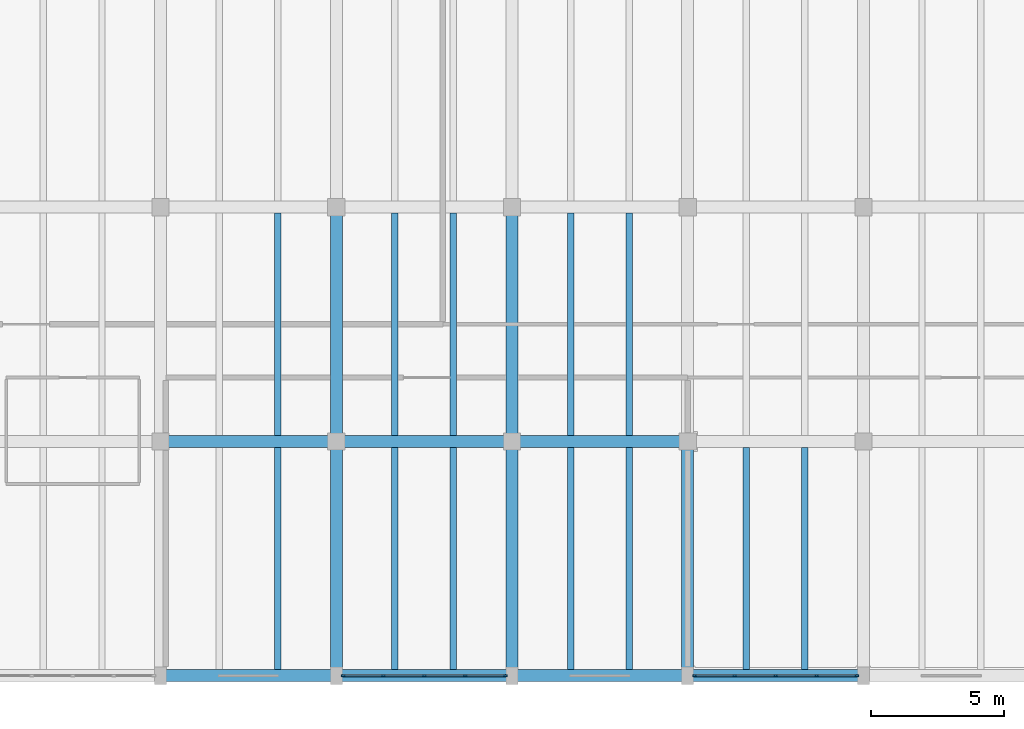
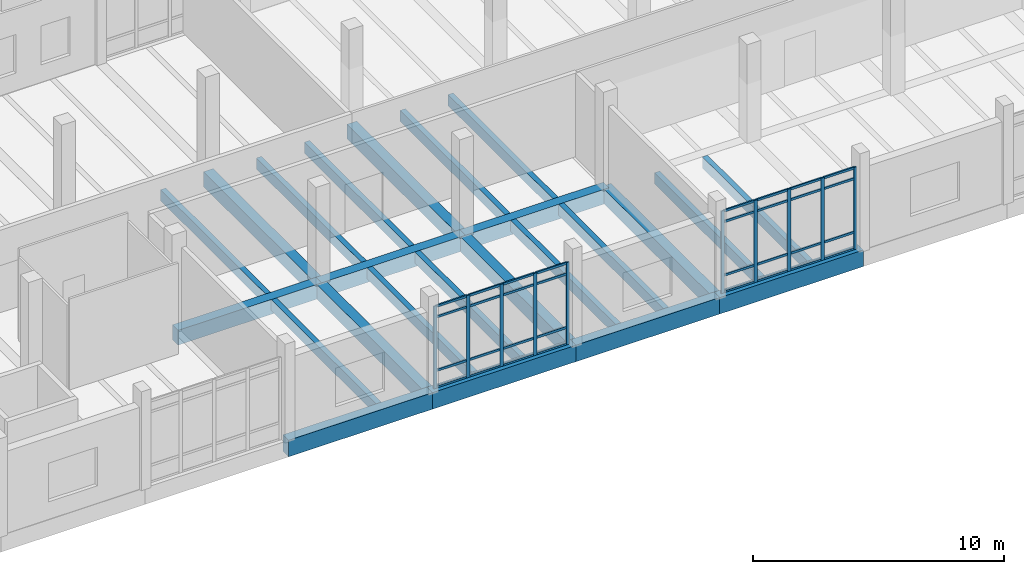
# One storey, part 23 of 76: 42 members, 24 beams, 2 elements without a shape of their own.
"""IFC4 building model written with IfcOpenShell, lengths in metres."""

import ifcopenshell
import ifcopenshell.guid

model = None  # the IFC model being written
_history = None  # IfcOwnerHistory: only IFC2X3 demands one
_inside = {}  # id of a spatial element -> (the spatial element, [elements in it])
_under = {}  # id of a project, library or spatial element -> (it, [spatial elements below it])
_declared = {}  # id of a project -> (the project, [libraries it declares])
_typed = {}  # id of a type object -> (the type object, [elements of that type])
_made_of = {}  # id of a material, layer set ... -> (it, [elements and type objects made of it])


def new_model(schema):
    """Start an empty IFC model of exactly this schema.

    Asked for "IFC4X3", IfcOpenShell would pick the latest addendum, in which some entities
    have other attributes; the version numbers below select the first issue.
    IFC2X3 requires an IfcOwnerHistory on every rooted entity: one is made here for all.
    """
    global model, _history
    if schema == "IFC4X3":
        model = ifcopenshell.file(schema_version=(4, 3, 0, 0))
    else:
        model = ifcopenshell.file(schema=schema)
    _inside.clear()
    _under.clear()
    _declared.clear()
    _typed.clear()
    _made_of.clear()
    _history = None
    if model.schema == "IFC2X3":
        org = make("IfcOrganization", Name="unknown")
        user = make(
            "IfcPersonAndOrganization",
            ThePerson=make("IfcPerson", FamilyName="unknown"),
            TheOrganization=org,
        )
        app = make(
            "IfcApplication",
            ApplicationDeveloper=org,
            Version="unknown",
            ApplicationFullName="unknown",
            ApplicationIdentifier="unknown",
        )
        _history = make(
            "IfcOwnerHistory",
            OwningUser=user,
            OwningApplication=app,
            ChangeAction="ADDED",
            CreationDate=0,
        )
    return model


def make(cls, **values):
    """One entity of the class cls with the attributes given. An attribute that is None is left unset."""
    return model.create_entity(
        cls, **{name: value for name, value in values.items() if value is not None}
    )


def rooted(cls, **values):
    """An entity with a GlobalId (a new one), such as an element, a storey or a relation."""
    return make(cls, GlobalId=ifcopenshell.guid.new(), OwnerHistory=_history, **values)


def si_unit(unit_type, name, prefix=None):
    """IfcSIUnit, for example si_unit("LENGTHUNIT", "METRE", prefix="MILLI")."""
    return make("IfcSIUnit", UnitType=unit_type, Prefix=prefix, Name=name)


def assignment(units):
    """IfcUnitAssignment: the units of a project."""
    return None if units is None else make("IfcUnitAssignment", Units=units)


def point(xyz):
    """IfcCartesianPoint."""
    return None if xyz is None else make("IfcCartesianPoint", Coordinates=xyz)


def direction(xyz):
    """IfcDirection."""
    return None if xyz is None else make("IfcDirection", DirectionRatios=xyz)


def frame(location, z_axis=None, x_axis=None):
    """IfcAxis2Placement3D, a coordinate frame: its origin and axes. An axis left out is left unset."""
    return make(
        "IfcAxis2Placement3D",
        Location=point(location),
        Axis=direction(z_axis),
        RefDirection=direction(x_axis),
    )


def frame_2d(location, x_axis=None):
    """IfcAxis2Placement2D, a coordinate frame in the plane: its origin and x axis."""
    return make(
        "IfcAxis2Placement2D", Location=point(location), RefDirection=direction(x_axis)
    )


def origin():
    """The frame at (0, 0, 0) with its axes left unset."""
    return frame((0.0, 0.0, 0.0))


def origin_2d():
    """The frame at (0, 0) in the plane with its x axis left unset."""
    return frame_2d((0.0, 0.0))


def place(relative_to, where):
    """IfcLocalPlacement: puts the frame where relative to a parent placement (None: the world)."""
    return make(
        "IfcLocalPlacement", PlacementRelTo=relative_to, RelativePlacement=where
    )


def context(
    kind, dimensions, precision=None, world=None, true_north=None, identifier=None
):
    """IfcGeometricRepresentationContext, for example the 3D "Model" context."""
    return make(
        "IfcGeometricRepresentationContext",
        ContextIdentifier=identifier,
        ContextType=kind,
        CoordinateSpaceDimension=dimensions,
        Precision=precision,
        WorldCoordinateSystem=world,
        TrueNorth=true_north,
    )


def subcontext(parent, identifier, kind, view, scale=None):
    """IfcGeometricRepresentationSubContext, for example "Body" below "Model"."""
    return make(
        "IfcGeometricRepresentationSubContext",
        ContextIdentifier=identifier,
        ContextType=kind,
        ParentContext=parent,
        TargetScale=scale,
        TargetView=view,
    )


def project(units=None, contexts=None):
    """IfcProject with its units and contexts."""
    return rooted(
        "IfcProject",
        Name="project",
        RepresentationContexts=contexts,
        UnitsInContext=assignment(units),
    )


def spatial(cls, under=None, at=None, **own):
    """A site, building, storey or space (cls), placed at a placement, below another one or the project."""
    s = rooted(cls, ObjectPlacement=at, **own)
    if under is not None:
        _under.setdefault(under.id(), (under, []))[1].append(s)
    return s


def profile(cls, at=None, kind="AREA", **sizes):
    """A parametric profile (cls). Its sizes go by their IFC names, for example OverallWidth=200.0."""
    return make(cls, ProfileType=kind, Position=at, **sizes)


def rectangle(**sizes):
    """IfcRectangleProfileDef."""
    return profile("IfcRectangleProfileDef", **sizes)


def extrude(swept, where, along, depth):
    """IfcExtrudedAreaSolid: the profile swept, set in the frame where, extruded along a direction by depth."""
    return make(
        "IfcExtrudedAreaSolid",
        SweptArea=swept,
        Position=where,
        ExtrudedDirection=direction(along),
        Depth=depth,
    )


def shape(context_of_items, identifier, shape_type, items):
    """IfcShapeRepresentation: the items that make up one representation, for example the "Body"."""
    return make(
        "IfcShapeRepresentation",
        ContextOfItems=context_of_items,
        RepresentationIdentifier=identifier,
        RepresentationType=shape_type,
        Items=items,
    )


def material(Name=None, Category=None):
    """IfcMaterial."""
    return make("IfcMaterial", Name=Name, Category=Category)


def material_profile(
    of_material, cross_section, Name=None, Category=None, Priority=None
):
    """IfcMaterialProfile: a cross section and its material."""
    return make(
        "IfcMaterialProfile",
        Name=Name,
        Material=of_material,
        Profile=cross_section,
        Priority=Priority,
        Category=Category,
    )


def profile_set(profiles, Name=None, composite=None):
    """IfcMaterialProfileSet."""
    return make(
        "IfcMaterialProfileSet",
        Name=Name,
        MaterialProfiles=profiles,
        CompositeProfile=composite,
    )


def made_of(thing, what):
    """Note that an element or type object is made of a material, layer set ...; save() writes the relation."""
    if what is not None:
        _made_of.setdefault(what.id(), (what, []))[1].append(thing)
    return thing


def type_object(cls, material=None, **own):
    """A type object (cls), such as IfcWallType, which elements share."""
    return made_of(rooted(cls, **own), material)


def element(
    cls,
    number,
    at=None,
    inside=None,
    cuts=None,
    type_object=None,
    material=None,
    context=None,
    identifier="Body",
    shape_type=None,
    held_by="IfcProductDefinitionShape",
    body=None,
    shapes=None,
    **own,
):
    """One element of the class cls, such as IfcWall. Its Tag is "e" and its number.

    at: its placement. inside: the storey or other place that contains it. cuts: it is an
    opening in that element (IfcRelVoidsElement). A single representation is given by context,
    identifier, shape_type and body (its items); several are given by shapes. held_by: the class
    of the entity that holds the representations. save() writes the other relations.
    """
    e = rooted(cls, Tag="e%d" % number, ObjectPlacement=at, **own)
    if body is not None:
        shapes = [shape(context, identifier, shape_type, body)]
    if shapes is not None:
        e.Representation = make(held_by, Representations=shapes)
    if inside is not None:
        _inside.setdefault(inside.id(), (inside, []))[1].append(e)
    if cuts is not None:
        rooted(
            "IfcRelVoidsElement", RelatingBuildingElement=cuts, RelatedOpeningElement=e
        )
    if type_object is not None:
        _typed.setdefault(type_object.id(), (type_object, []))[1].append(e)
    return made_of(e, material)


def aggregate(whole, parts):
    """IfcRelAggregates: a whole, such as a stair, and the parts it consists of."""
    return rooted("IfcRelAggregates", RelatingObject=whole, RelatedObjects=parts)


def save(model, path):
    """Write the relations noted so far, then the file.

    IfcRelAggregates (storeys below a building ...), IfcRelContainedInSpatialStructure (elements
    in a storey), IfcRelDefinesByType, IfcRelAssociatesMaterial and IfcRelDeclares: one each for
    every whole, place, type object, material and project.
    """
    for whole, parts in _under.values():
        aggregate(whole, parts)
    for where, things in _inside.values():
        rooted(
            "IfcRelContainedInSpatialStructure",
            RelatedElements=things,
            RelatingStructure=where,
        )
    for kind, things in _typed.values():
        rooted("IfcRelDefinesByType", RelatedObjects=things, RelatingType=kind)
    for what, things in _made_of.values():
        rooted("IfcRelAssociatesMaterial", RelatedObjects=things, RelatingMaterial=what)
    for by, libraries in _declared.values():
        rooted("IfcRelDeclares", RelatingContext=by, RelatedDefinitions=libraries)
    model.write(path)


model = new_model("IFC4")

# Units and contexts
model_context = context("Model", 3, precision=1e-05, world=origin(), true_north=direction((0.0, 1.0)))
body_context = subcontext(model_context, "Body", "Model", "MODEL_VIEW")
ifc_project = project(units=[si_unit("LENGTHUNIT", "METRE"), si_unit("AREAUNIT", "SQUARE_METRE"), si_unit("VOLUMEUNIT", "CUBIC_METRE"), si_unit("PLANEANGLEUNIT", "RADIAN"), si_unit("MASSUNIT", "GRAM", prefix="KILO")], contexts=[model_context])

# Site, building, storey
site_placement = place(None, origin())
site = spatial("IfcSite", under=ifc_project, at=site_placement, CompositionType="ELEMENT")
building_placement = place(site_placement, origin())
building = spatial("IfcBuilding", under=site, at=building_placement, Name="Dornvale Research Institute", CompositionType="ELEMENT")
storey_placement = place(building_placement, frame((0.0, 0.0, 15.0)))
storey = spatial("IfcBuildingStorey", under=building, at=storey_placement, Name="L03", CompositionType="ELEMENT", Elevation=15.0)

# Beams
ifc_material_1 = material(Name="Concrete f'c 45 MPa (C35/45)", Category="concrete")
ifc_material_profile_1 = material_profile(ifc_material_1, rectangle(XDim=0.449951171875, YDim=0.715087890625, at=origin_2d()), Name="RC 450x715")
ifc_profile_set_1 = profile_set([ifc_material_profile_1], Name="Concrete f'c 45 MPa (C35/45)")
beam_type_1 = type_object("IfcBeamType", Name="Beam_RC450x715_Lab", PredefinedType="BEAM", material=ifc_profile_set_1)
for number, where, z_axis, x_axis, name in (
    (1, (125.39990234375, 8.800048828125, -0.357421875), (1.0, 0.0, 0.0), (0.0, 1.0, 0.0), "L03 primary girder #995"),
    (2, (132.0, 8.800048828125, -0.357421875), (1.0, 0.0, 0.0), (0.0, 1.0, 0.0), "L03 primary girder #996"),
):
    element("IfcBeam", number, at=place(storey_placement, frame(where, z_axis=z_axis, x_axis=x_axis)), inside=storey, type_object=beam_type_1, Name=name, PredefinedType="BEAM", context=body_context, shape_type="SweptSolid", body=[
        extrude(rectangle(XDim=0.449951171875, YDim=0.715087890625, at=origin_2d()), origin(), (0.0, 0.0, 1.0), 6.60009765625),
    ])
beam_1_placement = place(storey_placement, frame((138.60009765625, 8.800048828125, -0.357421875), z_axis=(1.0, 0.0, 0.0), x_axis=(0.0, 1.0, 0.0)))
element("IfcBeam", 3, at=beam_1_placement, inside=storey, type_object=beam_type_1, Name="L03 primary girder #997", PredefinedType="BEAM", context=body_context, shape_type="SweptSolid", body=[
    extrude(rectangle(XDim=0.449951171875, YDim=0.715087890625, at=origin_2d()), origin(), (0.0, 0.0, 1.0), 6.599853515625),
])
for number, where, z_axis, x_axis, name in (
    (4, (132.0, 0.0, -0.357421875), (0.0, 1.0, 0.0), (-1.0, 0.0, 0.0), "L03 transverse girder #1041"),
    (5, (132.0, 8.800048828125, -0.357421875), (0.0, 1.0, 0.0), (-1.0, 0.0, 0.0), "L03 transverse girder #1042"),
    (6, (138.60009765625, 0.0, -0.357421875), (0.0, 1.0, 0.0), (-1.0, 0.0, 0.0), "L03 transverse girder #1044"),
    (7, (138.60009765625, 8.800048828125, -0.357421875), (0.0, 1.0, 0.0), (-1.0, 0.0, 0.0), "L03 transverse girder #1045"),
    (8, (145.199951171875, 0.0, -0.357421875), (0.0, 1.0, 0.0), (-1.0, 0.0, 0.0), "L03 transverse girder #1047"),
):
    element("IfcBeam", number, at=place(storey_placement, frame(where, z_axis=z_axis, x_axis=x_axis)), inside=storey, type_object=beam_type_1, Name=name, PredefinedType="BEAM", context=body_context, shape_type="SweptSolid", body=[
        extrude(rectangle(XDim=0.449951171875, YDim=0.715087890625, at=origin_2d()), origin(), (0.0, 0.0, 1.0), 8.800048828125),
    ])
ifc_material_2 = material(Name="Concrete f'c 45 MPa (C35/45)", Category="concrete")
ifc_material_profile_2 = material_profile(ifc_material_2, rectangle(XDim=0.239990234375, YDim=0.534912109375, at=origin_2d()), Name="RC 240x535")
ifc_profile_set_2 = profile_set([ifc_material_profile_2], Name="Concrete f'c 45 MPa (C35/45)")
beam_type_2 = type_object("IfcBeamType", Name="Joist_RC240x535_Waffle", PredefinedType="JOIST", material=ifc_profile_set_2)
beam_2_placement = place(storey_placement, frame((129.800048828125, 0.22509765625, -0.267578125), z_axis=(0.0, 1.0, 0.0), x_axis=(-1.0, 0.0, 0.0)))
element("IfcBeam", 9, at=beam_2_placement, inside=storey, type_object=beam_type_2, Name="L03 laboratory waffle joist #510", PredefinedType="JOIST", context=body_context, shape_type="SweptSolid", body=[
    extrude(rectangle(XDim=0.239990234375, YDim=0.534912109375, at=origin_2d()), origin(), (0.0, 0.0, 1.0), 8.349853515625),
])
beam_3_placement = place(storey_placement, frame((129.800048828125, 9.02490234375, -0.267578125), z_axis=(0.0, 1.0, 0.0), x_axis=(-1.0, 0.0, 0.0)))
element("IfcBeam", 10, at=beam_3_placement, inside=storey, type_object=beam_type_2, Name="L03 laboratory waffle joist #512", PredefinedType="JOIST", context=body_context, shape_type="SweptSolid", body=[
    extrude(rectangle(XDim=0.239990234375, YDim=0.534912109375, at=origin_2d()), origin(), (0.0, 0.0, 1.0), 8.35009765625),
])
for number, where, z_axis, x_axis, name in (
    (11, (134.199951171875, 0.22509765625, -0.267578125), (0.0, 1.0, 0.0), (-1.0, 0.0, 0.0), "L03 laboratory waffle joist #515"),
    (12, (136.39990234375, 0.22509765625, -0.267578125), (0.0, 1.0, 0.0), (-1.0, 0.0, 0.0), "L03 laboratory waffle joist #516"),
):
    element("IfcBeam", number, at=place(storey_placement, frame(where, z_axis=z_axis, x_axis=x_axis)), inside=storey, type_object=beam_type_2, Name=name, PredefinedType="JOIST", context=body_context, shape_type="SweptSolid", body=[
        extrude(rectangle(XDim=0.239990234375, YDim=0.534912109375, at=origin_2d()), origin(), (0.0, 0.0, 1.0), 8.349853515625),
    ])
for number, where, z_axis, x_axis, name in (
    (13, (134.199951171875, 9.02490234375, -0.267578125), (0.0, 1.0, 0.0), (-1.0, 0.0, 0.0), "L03 laboratory waffle joist #517"),
    (14, (136.39990234375, 9.02490234375, -0.267578125), (0.0, 1.0, 0.0), (-1.0, 0.0, 0.0), "L03 laboratory waffle joist #518"),
):
    element("IfcBeam", number, at=place(storey_placement, frame(where, z_axis=z_axis, x_axis=x_axis)), inside=storey, type_object=beam_type_2, Name=name, PredefinedType="JOIST", context=body_context, shape_type="SweptSolid", body=[
        extrude(rectangle(XDim=0.239990234375, YDim=0.534912109375, at=origin_2d()), origin(), (0.0, 0.0, 1.0), 8.35009765625),
    ])
for number, where, z_axis, x_axis, name in (
    (15, (140.800048828125, 0.22509765625, -0.267578125), (0.0, 1.0, 0.0), (-1.0, 0.0, 0.0), "L03 laboratory waffle joist #521"),
    (16, (143.0, 0.22509765625, -0.267578125), (0.0, 1.0, 0.0), (-1.0, 0.0, 0.0), "L03 laboratory waffle joist #522"),
):
    element("IfcBeam", number, at=place(storey_placement, frame(where, z_axis=z_axis, x_axis=x_axis)), inside=storey, type_object=beam_type_2, Name=name, PredefinedType="JOIST", context=body_context, shape_type="SweptSolid", body=[
        extrude(rectangle(XDim=0.239990234375, YDim=0.534912109375, at=origin_2d()), origin(), (0.0, 0.0, 1.0), 8.349853515625),
    ])
for number, where, z_axis, x_axis, name in (
    (17, (140.800048828125, 9.02490234375, -0.267578125), (0.0, 1.0, 0.0), (-1.0, 0.0, 0.0), "L03 laboratory waffle joist #523"),
    (18, (143.0, 9.02490234375, -0.267578125), (0.0, 1.0, 0.0), (-1.0, 0.0, 0.0), "L03 laboratory waffle joist #524"),
):
    element("IfcBeam", number, at=place(storey_placement, frame(where, z_axis=z_axis, x_axis=x_axis)), inside=storey, type_object=beam_type_2, Name=name, PredefinedType="JOIST", context=body_context, shape_type="SweptSolid", body=[
        extrude(rectangle(XDim=0.239990234375, YDim=0.534912109375, at=origin_2d()), origin(), (0.0, 0.0, 1.0), 8.35009765625),
    ])
for number, where, z_axis, x_axis, name in (
    (19, (147.39990234375, 0.22509765625, -0.267578125), (0.0, 1.0, 0.0), (-1.0, 0.0, 0.0), "L03 laboratory waffle joist #527"),
    (20, (149.60009765625, 0.22509765625, -0.267578125), (0.0, 1.0, 0.0), (-1.0, 0.0, 0.0), "L03 laboratory waffle joist #528"),
):
    element("IfcBeam", number, at=place(storey_placement, frame(where, z_axis=z_axis, x_axis=x_axis)), inside=storey, type_object=beam_type_2, Name=name, PredefinedType="JOIST", context=body_context, shape_type="SweptSolid", body=[
        extrude(rectangle(XDim=0.239990234375, YDim=0.534912109375, at=origin_2d()), origin(), (0.0, 0.0, 1.0), 8.349853515625),
    ])

# Curtain wall, members
ifc_material_3 = material(Name="Low-E Argon Double Insulating Glazing Unit", Category="glass")
curtain_wall_type = type_object("IfcCurtainWallType", Name="UnitisedCurtainWall_V3_6150x4000", PredefinedType="USERDEFINED", material=ifc_material_3)
curtain_wall_1_placement = place(storey_placement, origin())
curtain_wall_1 = element("IfcCurtainWall", 21, at=curtain_wall_1_placement, inside=storey, type_object=curtain_wall_type, Name="L03 V3 unitised curtain wall CW-06 #62", ObjectType="UNITISED CURTAIN WALL", PredefinedType="USERDEFINED")
ifc_material_4 = material(Name="Anodized Aluminum AA 6063-T6 Thermally Broken Frame", Category="aluminium")
ifc_material_profile_3 = material_profile(ifc_material_4, rectangle(XDim=0.06494140625, YDim=0.14990234375, at=origin_2d()), Name="ALU MULLION 65x150")
ifc_profile_set_3 = profile_set([ifc_material_profile_3], Name="Anodized Aluminum AA 6063-T6 Thermally Broken Frame")
member_type_1 = type_object("IfcMemberType", Name="Mullion_CW_65x150", PredefinedType="MULLION", material=ifc_profile_set_3)
member_1_placement = place(storey_placement, frame((151.54248046875, 0.0, 0.0), z_axis=(0.0, 0.0, 1.0), x_axis=(0.0, -1.0, 0.0)))
member_1 = element("IfcMember", 22, at=member_1_placement, type_object=member_type_1, Name="CW-06 mullion 1", PredefinedType="MULLION", context=body_context, shape_type="SweptSolid", body=[
    extrude(rectangle(XDim=0.06494140625, YDim=0.14990234375, at=origin_2d()), origin(), (0.0, 0.0, 1.0), 4.0),
])
member_2_placement = place(storey_placement, frame((150.03759765625, 0.0, 0.0), z_axis=(0.0, 0.0, 1.0), x_axis=(0.0, -1.0, 0.0)))
member_2 = element("IfcMember", 23, at=member_2_placement, type_object=member_type_1, Name="CW-06 mullion 2", PredefinedType="MULLION", context=body_context, shape_type="SweptSolid", body=[
    extrude(rectangle(XDim=0.06494140625, YDim=0.14990234375, at=origin_2d()), origin(), (0.0, 0.0, 1.0), 4.0),
])
member_3_placement = place(storey_placement, frame((148.5, 0.0, 0.0), z_axis=(0.0, 0.0, 1.0), x_axis=(0.0, -1.0, 0.0)))
member_3 = element("IfcMember", 24, at=member_3_placement, type_object=member_type_1, Name="CW-06 mullion 3", PredefinedType="MULLION", context=body_context, shape_type="SweptSolid", body=[
    extrude(rectangle(XDim=0.06494140625, YDim=0.14990234375, at=origin_2d()), origin(), (0.0, 0.0, 1.0), 4.0),
])
member_4_placement = place(storey_placement, frame((146.96240234375, 0.0, 0.0), z_axis=(0.0, 0.0, 1.0), x_axis=(0.0, -1.0, 0.0)))
member_4 = element("IfcMember", 25, at=member_4_placement, type_object=member_type_1, Name="CW-06 mullion 4", PredefinedType="MULLION", context=body_context, shape_type="SweptSolid", body=[
    extrude(rectangle(XDim=0.06494140625, YDim=0.14990234375, at=origin_2d()), origin(), (0.0, 0.0, 1.0), 4.0),
])
member_5_placement = place(storey_placement, frame((145.45751953125, 0.0, 0.0), z_axis=(0.0, 0.0, 1.0), x_axis=(0.0, -1.0, 0.0)))
member_5 = element("IfcMember", 26, at=member_5_placement, type_object=member_type_1, Name="CW-06 mullion 5", PredefinedType="MULLION", context=body_context, shape_type="SweptSolid", body=[
    extrude(rectangle(XDim=0.06494140625, YDim=0.14990234375, at=origin_2d()), origin(), (0.0, 0.0, 1.0), 4.0),
])

curtain_wall_2_placement = place(storey_placement, origin())
curtain_wall_2 = element("IfcCurtainWall", 27, at=curtain_wall_2_placement, inside=storey, type_object=curtain_wall_type, Name="L03 V3 unitised curtain wall CW-06 #63", ObjectType="UNITISED CURTAIN WALL", PredefinedType="USERDEFINED")
member_6_placement = place(storey_placement, frame((138.342529296875, 0.0, 0.0), z_axis=(0.0, 0.0, 1.0), x_axis=(0.0, -1.0, 0.0)))
member_6 = element("IfcMember", 28, at=member_6_placement, type_object=member_type_1, Name="CW-06 mullion 1", PredefinedType="MULLION", context=body_context, shape_type="SweptSolid", body=[
    extrude(rectangle(XDim=0.06494140625, YDim=0.14990234375, at=origin_2d()), origin(), (0.0, 0.0, 1.0), 4.0),
])
member_7_placement = place(storey_placement, frame((136.83740234375, 0.0, 0.0), z_axis=(0.0, 0.0, 1.0), x_axis=(0.0, -1.0, 0.0)))
member_7 = element("IfcMember", 29, at=member_7_placement, type_object=member_type_1, Name="CW-06 mullion 2", PredefinedType="MULLION", context=body_context, shape_type="SweptSolid", body=[
    extrude(rectangle(XDim=0.06494140625, YDim=0.14990234375, at=origin_2d()), origin(), (0.0, 0.0, 1.0), 4.0),
])
member_8_placement = place(storey_placement, frame((135.300048828125, 0.0, 0.0), z_axis=(0.0, 0.0, 1.0), x_axis=(0.0, -1.0, 0.0)))
member_8 = element("IfcMember", 30, at=member_8_placement, type_object=member_type_1, Name="CW-06 mullion 3", PredefinedType="MULLION", context=body_context, shape_type="SweptSolid", body=[
    extrude(rectangle(XDim=0.06494140625, YDim=0.14990234375, at=origin_2d()), origin(), (0.0, 0.0, 1.0), 4.0),
])
member_9_placement = place(storey_placement, frame((133.762451171875, 0.0, 0.0), z_axis=(0.0, 0.0, 1.0), x_axis=(0.0, -1.0, 0.0)))
member_9 = element("IfcMember", 31, at=member_9_placement, type_object=member_type_1, Name="CW-06 mullion 4", PredefinedType="MULLION", context=body_context, shape_type="SweptSolid", body=[
    extrude(rectangle(XDim=0.06494140625, YDim=0.14990234375, at=origin_2d()), origin(), (0.0, 0.0, 1.0), 4.0),
])
member_10_placement = place(storey_placement, frame((132.257568359375, 0.0, 0.0), z_axis=(0.0, 0.0, 1.0), x_axis=(0.0, -1.0, 0.0)))
member_10 = element("IfcMember", 32, at=member_10_placement, type_object=member_type_1, Name="CW-06 mullion 5", PredefinedType="MULLION", context=body_context, shape_type="SweptSolid", body=[
    extrude(rectangle(XDim=0.06494140625, YDim=0.14990234375, at=origin_2d()), origin(), (0.0, 0.0, 1.0), 4.0),
])

# Beams
ifc_material_5 = material(Name="Concrete f'c 45 MPa (C35/45)", Category="concrete")
ifc_material_profile_4 = material_profile(ifc_material_5, rectangle(XDim=0.449951171875, YDim=0.800048828125, at=origin_2d()), Name="RC 450x800")
ifc_profile_set_4 = profile_set([ifc_material_profile_4], Name="Concrete f'c 45 MPa (C35/45)")
beam_type_3 = type_object("IfcBeamType", Name="Spandrel_RC450x800_Ext", PredefinedType="SPANDREL", material=ifc_profile_set_4)
for number, where, z_axis, x_axis, name in (
    (33, (125.39990234375, 0.0, -0.39990234375), (1.0, 0.0, 0.0), (0.0, 1.0, 0.0), "L03 perimeter spandrel #983"),
    (34, (132.0, 0.0, -0.39990234375), (1.0, 0.0, 0.0), (0.0, 1.0, 0.0), "L03 perimeter spandrel #984"),
):
    element("IfcBeam", number, at=place(storey_placement, frame(where, z_axis=z_axis, x_axis=x_axis)), inside=storey, type_object=beam_type_3, Name=name, PredefinedType="SPANDREL", context=body_context, shape_type="SweptSolid", body=[
        extrude(rectangle(XDim=0.449951171875, YDim=0.800048828125, at=origin_2d()), origin(), (0.0, 0.0, 1.0), 6.60009765625),
    ])
beam_4_placement = place(storey_placement, frame((138.60009765625, 0.0, -0.39990234375), z_axis=(1.0, 0.0, 0.0), x_axis=(0.0, 1.0, 0.0)))
element("IfcBeam", 35, at=beam_4_placement, inside=storey, type_object=beam_type_3, Name="L03 perimeter spandrel #985", PredefinedType="SPANDREL", context=body_context, shape_type="SweptSolid", body=[
    extrude(rectangle(XDim=0.449951171875, YDim=0.800048828125, at=origin_2d()), origin(), (0.0, 0.0, 1.0), 6.599853515625),
])
beam_5_placement = place(storey_placement, frame((145.199951171875, 0.0, -0.39990234375), z_axis=(1.0, 0.0, 0.0), x_axis=(0.0, 1.0, 0.0)))
element("IfcBeam", 36, at=beam_5_placement, inside=storey, type_object=beam_type_3, Name="L03 perimeter spandrel #986", PredefinedType="SPANDREL", context=body_context, shape_type="SweptSolid", body=[
    extrude(rectangle(XDim=0.449951171875, YDim=0.800048828125, at=origin_2d()), origin(), (0.0, 0.0, 1.0), 6.60009765625),
])

# Member
ifc_material_6 = material(Name="Anodized Aluminum AA 6063-T6 Thermally Broken Frame", Category="aluminium")
ifc_material_profile_5 = material_profile(ifc_material_6, rectangle(XDim=0.06494140625, YDim=0.110107421875, at=origin_2d()), Name="ALU TRANSOM 65x110")
ifc_profile_set_5 = profile_set([ifc_material_profile_5], Name="Anodized Aluminum AA 6063-T6 Thermally Broken Frame")
member_type_2 = type_object("IfcMemberType", Name="Transom_CW_65x110", PredefinedType="USERDEFINED", material=ifc_profile_set_5)
member_11_placement = place(storey_placement, frame((151.510009765625, 0.0, 0.032470703125), z_axis=(-1.0, 0.0, 0.0), x_axis=(0.0, -1.0, 0.0)))
member_11 = element("IfcMember", 37, at=member_11_placement, type_object=member_type_2, Name="CW-06 transom 1.1", ObjectType="TRANSOM", PredefinedType="USERDEFINED", context=body_context, shape_type="SweptSolid", body=[
    extrude(rectangle(XDim=0.06494140625, YDim=0.110107421875, at=origin_2d()), origin(), (0.0, 0.0, 1.0), 1.43994140625),
])

member_12_placement = place(storey_placement, frame((151.510009765625, 0.0, 0.85009765625), z_axis=(-1.0, 0.0, 0.0), x_axis=(0.0, -1.0, 0.0)))
member_12 = element("IfcMember", 38, at=member_12_placement, type_object=member_type_2, Name="CW-06 transom 1.2", ObjectType="TRANSOM", PredefinedType="USERDEFINED", context=body_context, shape_type="SweptSolid", body=[
    extrude(rectangle(XDim=0.06494140625, YDim=0.110107421875, at=origin_2d()), origin(), (0.0, 0.0, 1.0), 1.43994140625),
])

member_13_placement = place(storey_placement, frame((151.510009765625, 0.0, 3.449951171875), z_axis=(-1.0, 0.0, 0.0), x_axis=(0.0, -1.0, 0.0)))
member_13 = element("IfcMember", 39, at=member_13_placement, type_object=member_type_2, Name="CW-06 transom 1.3", ObjectType="TRANSOM", PredefinedType="USERDEFINED", context=body_context, shape_type="SweptSolid", body=[
    extrude(rectangle(XDim=0.06494140625, YDim=0.110107421875, at=origin_2d()), origin(), (0.0, 0.0, 1.0), 1.43994140625),
])

member_14_placement = place(storey_placement, frame((151.510009765625, 0.0, 3.967529296875), z_axis=(-1.0, 0.0, 0.0), x_axis=(0.0, -1.0, 0.0)))
member_14 = element("IfcMember", 40, at=member_14_placement, type_object=member_type_2, Name="CW-06 transom 1.4", ObjectType="TRANSOM", PredefinedType="USERDEFINED", context=body_context, shape_type="SweptSolid", body=[
    extrude(rectangle(XDim=0.06494140625, YDim=0.110107421875, at=origin_2d()), origin(), (0.0, 0.0, 1.0), 1.43994140625),
])

member_15_placement = place(storey_placement, frame((150.0048828125, 0.0, 0.032470703125), z_axis=(-1.0, 0.0, 0.0), x_axis=(0.0, -1.0, 0.0)))
member_15 = element("IfcMember", 41, at=member_15_placement, type_object=member_type_2, Name="CW-06 transom 2.1", ObjectType="TRANSOM", PredefinedType="USERDEFINED", context=body_context, shape_type="SweptSolid", body=[
    extrude(rectangle(XDim=0.06494140625, YDim=0.110107421875, at=origin_2d()), origin(), (0.0, 0.0, 1.0), 1.472412109375),
])

member_16_placement = place(storey_placement, frame((150.0048828125, 0.0, 0.85009765625), z_axis=(-1.0, 0.0, 0.0), x_axis=(0.0, -1.0, 0.0)))
member_16 = element("IfcMember", 42, at=member_16_placement, type_object=member_type_2, Name="CW-06 transom 2.2", ObjectType="TRANSOM", PredefinedType="USERDEFINED", context=body_context, shape_type="SweptSolid", body=[
    extrude(rectangle(XDim=0.06494140625, YDim=0.110107421875, at=origin_2d()), origin(), (0.0, 0.0, 1.0), 1.472412109375),
])

member_17_placement = place(storey_placement, frame((150.0048828125, 0.0, 3.449951171875), z_axis=(-1.0, 0.0, 0.0), x_axis=(0.0, -1.0, 0.0)))
member_17 = element("IfcMember", 43, at=member_17_placement, type_object=member_type_2, Name="CW-06 transom 2.3", ObjectType="TRANSOM", PredefinedType="USERDEFINED", context=body_context, shape_type="SweptSolid", body=[
    extrude(rectangle(XDim=0.06494140625, YDim=0.110107421875, at=origin_2d()), origin(), (0.0, 0.0, 1.0), 1.472412109375),
])

member_18_placement = place(storey_placement, frame((150.0048828125, 0.0, 3.967529296875), z_axis=(-1.0, 0.0, 0.0), x_axis=(0.0, -1.0, 0.0)))
member_18 = element("IfcMember", 44, at=member_18_placement, type_object=member_type_2, Name="CW-06 transom 2.4", ObjectType="TRANSOM", PredefinedType="USERDEFINED", context=body_context, shape_type="SweptSolid", body=[
    extrude(rectangle(XDim=0.06494140625, YDim=0.110107421875, at=origin_2d()), origin(), (0.0, 0.0, 1.0), 1.472412109375),
])

member_19_placement = place(storey_placement, frame((148.467529296875, 0.0, 0.032470703125), z_axis=(-1.0, 0.0, 0.0), x_axis=(0.0, -1.0, 0.0)))
member_19 = element("IfcMember", 45, at=member_19_placement, type_object=member_type_2, Name="CW-06 transom 3.1", ObjectType="TRANSOM", PredefinedType="USERDEFINED", context=body_context, shape_type="SweptSolid", body=[
    extrude(rectangle(XDim=0.06494140625, YDim=0.110107421875, at=origin_2d()), origin(), (0.0, 0.0, 1.0), 1.472412109375),
])

member_20_placement = place(storey_placement, frame((148.467529296875, 0.0, 0.85009765625), z_axis=(-1.0, 0.0, 0.0), x_axis=(0.0, -1.0, 0.0)))
member_20 = element("IfcMember", 46, at=member_20_placement, type_object=member_type_2, Name="CW-06 transom 3.2", ObjectType="TRANSOM", PredefinedType="USERDEFINED", context=body_context, shape_type="SweptSolid", body=[
    extrude(rectangle(XDim=0.06494140625, YDim=0.110107421875, at=origin_2d()), origin(), (0.0, 0.0, 1.0), 1.472412109375),
])

member_21_placement = place(storey_placement, frame((148.467529296875, 0.0, 3.449951171875), z_axis=(-1.0, 0.0, 0.0), x_axis=(0.0, -1.0, 0.0)))
member_21 = element("IfcMember", 47, at=member_21_placement, type_object=member_type_2, Name="CW-06 transom 3.3", ObjectType="TRANSOM", PredefinedType="USERDEFINED", context=body_context, shape_type="SweptSolid", body=[
    extrude(rectangle(XDim=0.06494140625, YDim=0.110107421875, at=origin_2d()), origin(), (0.0, 0.0, 1.0), 1.472412109375),
])

member_22_placement = place(storey_placement, frame((148.467529296875, 0.0, 3.967529296875), z_axis=(-1.0, 0.0, 0.0), x_axis=(0.0, -1.0, 0.0)))
member_22 = element("IfcMember", 48, at=member_22_placement, type_object=member_type_2, Name="CW-06 transom 3.4", ObjectType="TRANSOM", PredefinedType="USERDEFINED", context=body_context, shape_type="SweptSolid", body=[
    extrude(rectangle(XDim=0.06494140625, YDim=0.110107421875, at=origin_2d()), origin(), (0.0, 0.0, 1.0), 1.472412109375),
])

member_23_placement = place(storey_placement, frame((146.929931640625, 0.0, 0.032470703125), z_axis=(-1.0, 0.0, 0.0), x_axis=(0.0, -1.0, 0.0)))
member_23 = element("IfcMember", 49, at=member_23_placement, type_object=member_type_2, Name="CW-06 transom 4.1", ObjectType="TRANSOM", PredefinedType="USERDEFINED", context=body_context, shape_type="SweptSolid", body=[
    extrude(rectangle(XDim=0.06494140625, YDim=0.110107421875, at=origin_2d()), origin(), (0.0, 0.0, 1.0), 1.43994140625),
])

member_24_placement = place(storey_placement, frame((146.929931640625, 0.0, 0.85009765625), z_axis=(-1.0, 0.0, 0.0), x_axis=(0.0, -1.0, 0.0)))
member_24 = element("IfcMember", 50, at=member_24_placement, type_object=member_type_2, Name="CW-06 transom 4.2", ObjectType="TRANSOM", PredefinedType="USERDEFINED", context=body_context, shape_type="SweptSolid", body=[
    extrude(rectangle(XDim=0.06494140625, YDim=0.110107421875, at=origin_2d()), origin(), (0.0, 0.0, 1.0), 1.43994140625),
])

member_25_placement = place(storey_placement, frame((146.929931640625, 0.0, 3.449951171875), z_axis=(-1.0, 0.0, 0.0), x_axis=(0.0, -1.0, 0.0)))
member_25 = element("IfcMember", 51, at=member_25_placement, type_object=member_type_2, Name="CW-06 transom 4.3", ObjectType="TRANSOM", PredefinedType="USERDEFINED", context=body_context, shape_type="SweptSolid", body=[
    extrude(rectangle(XDim=0.06494140625, YDim=0.110107421875, at=origin_2d()), origin(), (0.0, 0.0, 1.0), 1.43994140625),
])

member_26_placement = place(storey_placement, frame((146.929931640625, 0.0, 3.967529296875), z_axis=(-1.0, 0.0, 0.0), x_axis=(0.0, -1.0, 0.0)))
member_26 = element("IfcMember", 52, at=member_26_placement, type_object=member_type_2, Name="CW-06 transom 4.4", ObjectType="TRANSOM", PredefinedType="USERDEFINED", context=body_context, shape_type="SweptSolid", body=[
    extrude(rectangle(XDim=0.06494140625, YDim=0.110107421875, at=origin_2d()), origin(), (0.0, 0.0, 1.0), 1.43994140625),
])

aggregate(curtain_wall_1, [member_1, member_2, member_3, member_4, member_5, member_11, member_12, member_13, member_14, member_15, member_16, member_17, member_18, member_19, member_20, member_21, member_22, member_23, member_24, member_25, member_26])

member_27_placement = place(storey_placement, frame((138.31005859375, 0.0, 0.032470703125), z_axis=(-1.0, 0.0, 0.0), x_axis=(0.0, -1.0, 0.0)))
member_27 = element("IfcMember", 53, at=member_27_placement, type_object=member_type_2, Name="CW-06 transom 1.1", ObjectType="TRANSOM", PredefinedType="USERDEFINED", context=body_context, shape_type="SweptSolid", body=[
    extrude(rectangle(XDim=0.06494140625, YDim=0.110107421875, at=origin_2d()), origin(), (0.0, 0.0, 1.0), 1.43994140625),
])

member_28_placement = place(storey_placement, frame((138.31005859375, 0.0, 0.85009765625), z_axis=(-1.0, 0.0, 0.0), x_axis=(0.0, -1.0, 0.0)))
member_28 = element("IfcMember", 54, at=member_28_placement, type_object=member_type_2, Name="CW-06 transom 1.2", ObjectType="TRANSOM", PredefinedType="USERDEFINED", context=body_context, shape_type="SweptSolid", body=[
    extrude(rectangle(XDim=0.06494140625, YDim=0.110107421875, at=origin_2d()), origin(), (0.0, 0.0, 1.0), 1.43994140625),
])

member_29_placement = place(storey_placement, frame((138.31005859375, 0.0, 3.449951171875), z_axis=(-1.0, 0.0, 0.0), x_axis=(0.0, -1.0, 0.0)))
member_29 = element("IfcMember", 55, at=member_29_placement, type_object=member_type_2, Name="CW-06 transom 1.3", ObjectType="TRANSOM", PredefinedType="USERDEFINED", context=body_context, shape_type="SweptSolid", body=[
    extrude(rectangle(XDim=0.06494140625, YDim=0.110107421875, at=origin_2d()), origin(), (0.0, 0.0, 1.0), 1.43994140625),
])

member_30_placement = place(storey_placement, frame((138.31005859375, 0.0, 3.967529296875), z_axis=(-1.0, 0.0, 0.0), x_axis=(0.0, -1.0, 0.0)))
member_30 = element("IfcMember", 56, at=member_30_placement, type_object=member_type_2, Name="CW-06 transom 1.4", ObjectType="TRANSOM", PredefinedType="USERDEFINED", context=body_context, shape_type="SweptSolid", body=[
    extrude(rectangle(XDim=0.06494140625, YDim=0.110107421875, at=origin_2d()), origin(), (0.0, 0.0, 1.0), 1.43994140625),
])

member_31_placement = place(storey_placement, frame((136.804931640625, 0.0, 0.032470703125), z_axis=(-1.0, 0.0, 0.0), x_axis=(0.0, -1.0, 0.0)))
member_31 = element("IfcMember", 57, at=member_31_placement, type_object=member_type_2, Name="CW-06 transom 2.1", ObjectType="TRANSOM", PredefinedType="USERDEFINED", context=body_context, shape_type="SweptSolid", body=[
    extrude(rectangle(XDim=0.06494140625, YDim=0.110107421875, at=origin_2d()), origin(), (0.0, 0.0, 1.0), 1.472412109375),
])

member_32_placement = place(storey_placement, frame((136.804931640625, 0.0, 0.85009765625), z_axis=(-1.0, 0.0, 0.0), x_axis=(0.0, -1.0, 0.0)))
member_32 = element("IfcMember", 58, at=member_32_placement, type_object=member_type_2, Name="CW-06 transom 2.2", ObjectType="TRANSOM", PredefinedType="USERDEFINED", context=body_context, shape_type="SweptSolid", body=[
    extrude(rectangle(XDim=0.06494140625, YDim=0.110107421875, at=origin_2d()), origin(), (0.0, 0.0, 1.0), 1.472412109375),
])

member_33_placement = place(storey_placement, frame((136.804931640625, 0.0, 3.449951171875), z_axis=(-1.0, 0.0, 0.0), x_axis=(0.0, -1.0, 0.0)))
member_33 = element("IfcMember", 59, at=member_33_placement, type_object=member_type_2, Name="CW-06 transom 2.3", ObjectType="TRANSOM", PredefinedType="USERDEFINED", context=body_context, shape_type="SweptSolid", body=[
    extrude(rectangle(XDim=0.06494140625, YDim=0.110107421875, at=origin_2d()), origin(), (0.0, 0.0, 1.0), 1.472412109375),
])

member_34_placement = place(storey_placement, frame((136.804931640625, 0.0, 3.967529296875), z_axis=(-1.0, 0.0, 0.0), x_axis=(0.0, -1.0, 0.0)))
member_34 = element("IfcMember", 60, at=member_34_placement, type_object=member_type_2, Name="CW-06 transom 2.4", ObjectType="TRANSOM", PredefinedType="USERDEFINED", context=body_context, shape_type="SweptSolid", body=[
    extrude(rectangle(XDim=0.06494140625, YDim=0.110107421875, at=origin_2d()), origin(), (0.0, 0.0, 1.0), 1.472412109375),
])

member_35_placement = place(storey_placement, frame((135.267578125, 0.0, 0.032470703125), z_axis=(-1.0, 0.0, 0.0), x_axis=(0.0, -1.0, 0.0)))
member_35 = element("IfcMember", 61, at=member_35_placement, type_object=member_type_2, Name="CW-06 transom 3.1", ObjectType="TRANSOM", PredefinedType="USERDEFINED", context=body_context, shape_type="SweptSolid", body=[
    extrude(rectangle(XDim=0.06494140625, YDim=0.110107421875, at=origin_2d()), origin(), (0.0, 0.0, 1.0), 1.47265625),
])

member_36_placement = place(storey_placement, frame((135.267578125, 0.0, 0.85009765625), z_axis=(-1.0, 0.0, 0.0), x_axis=(0.0, -1.0, 0.0)))
member_36 = element("IfcMember", 62, at=member_36_placement, type_object=member_type_2, Name="CW-06 transom 3.2", ObjectType="TRANSOM", PredefinedType="USERDEFINED", context=body_context, shape_type="SweptSolid", body=[
    extrude(rectangle(XDim=0.06494140625, YDim=0.110107421875, at=origin_2d()), origin(), (0.0, 0.0, 1.0), 1.47265625),
])

member_37_placement = place(storey_placement, frame((135.267578125, 0.0, 3.449951171875), z_axis=(-1.0, 0.0, 0.0), x_axis=(0.0, -1.0, 0.0)))
member_37 = element("IfcMember", 63, at=member_37_placement, type_object=member_type_2, Name="CW-06 transom 3.3", ObjectType="TRANSOM", PredefinedType="USERDEFINED", context=body_context, shape_type="SweptSolid", body=[
    extrude(rectangle(XDim=0.06494140625, YDim=0.110107421875, at=origin_2d()), origin(), (0.0, 0.0, 1.0), 1.47265625),
])

member_38_placement = place(storey_placement, frame((135.267578125, 0.0, 3.967529296875), z_axis=(-1.0, 0.0, 0.0), x_axis=(0.0, -1.0, 0.0)))
member_38 = element("IfcMember", 64, at=member_38_placement, type_object=member_type_2, Name="CW-06 transom 3.4", ObjectType="TRANSOM", PredefinedType="USERDEFINED", context=body_context, shape_type="SweptSolid", body=[
    extrude(rectangle(XDim=0.06494140625, YDim=0.110107421875, at=origin_2d()), origin(), (0.0, 0.0, 1.0), 1.47265625),
])

member_39_placement = place(storey_placement, frame((133.72998046875, 0.0, 0.032470703125), z_axis=(-1.0, 0.0, 0.0), x_axis=(0.0, -1.0, 0.0)))
member_39 = element("IfcMember", 65, at=member_39_placement, type_object=member_type_2, Name="CW-06 transom 4.1", ObjectType="TRANSOM", PredefinedType="USERDEFINED", context=body_context, shape_type="SweptSolid", body=[
    extrude(rectangle(XDim=0.06494140625, YDim=0.110107421875, at=origin_2d()), origin(), (0.0, 0.0, 1.0), 1.43994140625),
])

member_40_placement = place(storey_placement, frame((133.72998046875, 0.0, 0.85009765625), z_axis=(-1.0, 0.0, 0.0), x_axis=(0.0, -1.0, 0.0)))
member_40 = element("IfcMember", 66, at=member_40_placement, type_object=member_type_2, Name="CW-06 transom 4.2", ObjectType="TRANSOM", PredefinedType="USERDEFINED", context=body_context, shape_type="SweptSolid", body=[
    extrude(rectangle(XDim=0.06494140625, YDim=0.110107421875, at=origin_2d()), origin(), (0.0, 0.0, 1.0), 1.43994140625),
])

member_41_placement = place(storey_placement, frame((133.72998046875, 0.0, 3.449951171875), z_axis=(-1.0, 0.0, 0.0), x_axis=(0.0, -1.0, 0.0)))
member_41 = element("IfcMember", 67, at=member_41_placement, type_object=member_type_2, Name="CW-06 transom 4.3", ObjectType="TRANSOM", PredefinedType="USERDEFINED", context=body_context, shape_type="SweptSolid", body=[
    extrude(rectangle(XDim=0.06494140625, YDim=0.110107421875, at=origin_2d()), origin(), (0.0, 0.0, 1.0), 1.43994140625),
])

member_42_placement = place(storey_placement, frame((133.72998046875, 0.0, 3.967529296875), z_axis=(-1.0, 0.0, 0.0), x_axis=(0.0, -1.0, 0.0)))
member_42 = element("IfcMember", 68, at=member_42_placement, type_object=member_type_2, Name="CW-06 transom 4.4", ObjectType="TRANSOM", PredefinedType="USERDEFINED", context=body_context, shape_type="SweptSolid", body=[
    extrude(rectangle(XDim=0.06494140625, YDim=0.110107421875, at=origin_2d()), origin(), (0.0, 0.0, 1.0), 1.43994140625),
])

aggregate(curtain_wall_2, [member_6, member_7, member_8, member_9, member_10, member_27, member_28, member_29, member_30, member_31, member_32, member_33, member_34, member_35, member_36, member_37, member_38, member_39, member_40, member_41, member_42])

save(model, "model.ifc")
